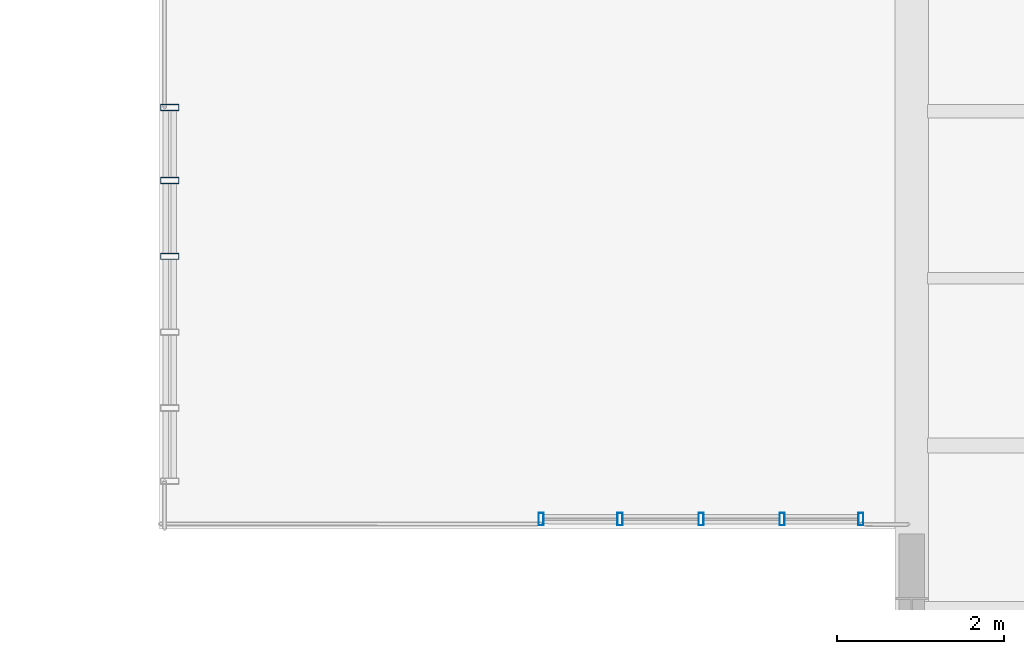
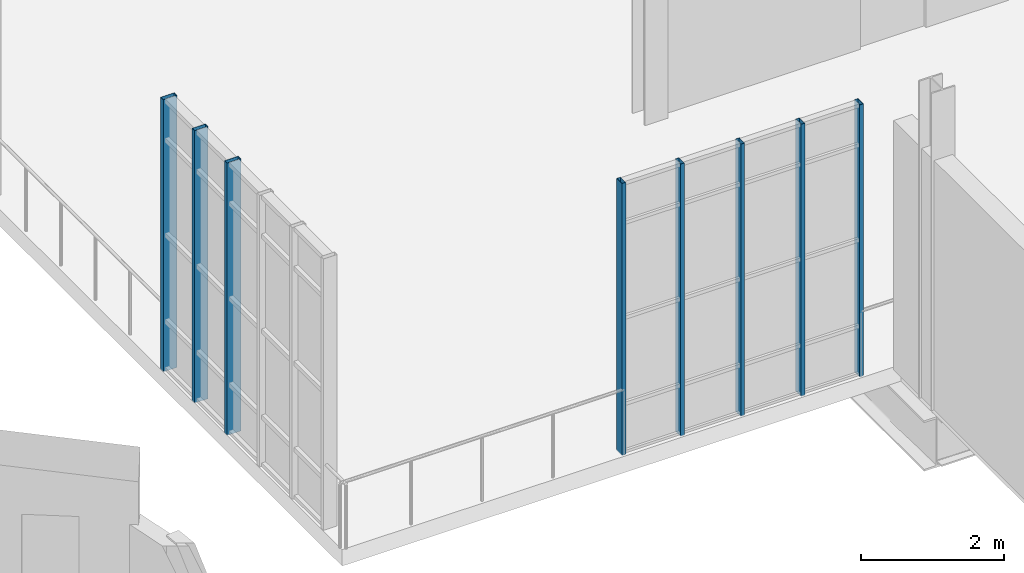
# One storey, part 51 of 142: 8 members, 2 elements without a shape of their own.
"""IFC4 building model written with IfcOpenShell, lengths in metres."""

from ifc_helpers import new_model, si_unit, direction, frame, origin, origin_2d, place, context, subcontext, project, spatial, hollow_rectangle, extrude, material, layer, layer_set, material_profile, profile_set, type_object, element, aggregate, save


model = new_model("IFC4")

# Units and contexts
model_context = context("Model", 3, precision=1e-05, world=origin(), true_north=direction((0.0, 1.0)))
body_context = subcontext(model_context, "Body", "Model", "MODEL_VIEW")
ifc_project = project(units=[si_unit("LENGTHUNIT", "METRE"), si_unit("AREAUNIT", "SQUARE_METRE"), si_unit("VOLUMEUNIT", "CUBIC_METRE"), si_unit("PLANEANGLEUNIT", "RADIAN"), si_unit("MASSUNIT", "GRAM", prefix="KILO"), si_unit("THERMODYNAMICTEMPERATUREUNIT", "KELVIN"), si_unit("POWERUNIT", "WATT")], contexts=[model_context])

# Site, building, storey
site_placement = place(None, origin())
site = spatial("IfcSite", under=ifc_project, at=site_placement, CompositionType="ELEMENT")
building_placement = place(site_placement, origin())
building = spatial("IfcBuilding", under=site, at=building_placement, Name="Zelmaris Science Centre", CompositionType="ELEMENT")
storey_placement = place(building_placement, frame((0.0, 0.0, 5.39990234375)))
storey = spatial("IfcBuildingStorey", under=building, at=storey_placement, Name="L01", CompositionType="ELEMENT", Elevation=5.39990234375)

# Curtain wall, members
ifc_material = material(Name="Anodised architectural aluminium 6063-T6", Category="aluminium")
ifc_layer_1 = layer(ifc_material, 0.219970703125, Name="Anodised architectural aluminium 6063-T6")
ifc_layer_set_1 = layer_set([ifc_layer_1], Name="Anodised architectural aluminium 6063-T6")
curtain_wall_type_1 = type_object("IfcCurtainWallType", Name="Curtain Wall CW-04", PredefinedType="USERDEFINED", material=ifc_layer_set_1)
curtain_wall_1_placement = place(storey_placement, origin())
curtain_wall_1 = element("IfcCurtainWall", 1, at=curtain_wall_1_placement, inside=storey, type_object=curtain_wall_type_1, Name="L01 Unitised curtain wall 184", ObjectType="GLAZED CURTAIN WALL", PredefinedType="USERDEFINED")
ifc_material_profile_1 = material_profile(ifc_material, hollow_rectangle(XDim=0.06005859375, YDim=0.14990234375, WallThickness=0.00341796875, at=origin_2d()), Name="ALU-MUL-60X150")
ifc_profile_set_1 = profile_set([ifc_material_profile_1], Name="Anodised architectural aluminium 6063-T6")
member_type_1 = type_object("IfcMemberType", Name="ALU-MUL-60X150", PredefinedType="MULLION", material=ifc_profile_set_1)
member_1_placement = place(storey_placement, frame((107.391357421875, 49.11767578125, -0.014892578125), z_axis=(0.0, 0.0, 1.0), x_axis=(-0.999999955983, 0.000296705968, 0.0)))
member_1 = element("IfcMember", 2, at=member_1_placement, type_object=member_type_1, Name="CW-04 mullion 1", PredefinedType="MULLION", context=body_context, shape_type="SweptSolid", body=[
    extrude(hollow_rectangle(XDim=0.06005859375, YDim=0.14990234375, WallThickness=0.00341796875, at=origin_2d()), origin(), (0.0, 0.0, 1.0), 4.635009765625),
])
member_2_placement = place(storey_placement, frame((106.44775390625, 49.117919921875, -0.014892578125), z_axis=(0.0, 0.0, 1.0), x_axis=(-0.999999955983, 0.000296705968, 0.0)))
member_2 = element("IfcMember", 3, at=member_2_placement, type_object=member_type_1, Name="CW-04 mullion 2", PredefinedType="MULLION", context=body_context, shape_type="SweptSolid", body=[
    extrude(hollow_rectangle(XDim=0.06005859375, YDim=0.14990234375, WallThickness=0.00341796875, at=origin_2d()), origin(), (0.0, 0.0, 1.0), 4.635009765625),
])
member_3_placement = place(storey_placement, frame((105.47802734375, 49.1181640625, -0.014892578125), z_axis=(0.0, 0.0, 1.0), x_axis=(-0.999999955983, 0.000296705968, 0.0)))
member_3 = element("IfcMember", 4, at=member_3_placement, type_object=member_type_1, Name="CW-04 mullion 3", PredefinedType="MULLION", context=body_context, shape_type="SweptSolid", body=[
    extrude(hollow_rectangle(XDim=0.06005859375, YDim=0.14990234375, WallThickness=0.00341796875, at=origin_2d()), origin(), (0.0, 0.0, 1.0), 4.635009765625),
])
member_4_placement = place(storey_placement, frame((104.50830078125, 49.118408203125, -0.014892578125), z_axis=(0.0, 0.0, 1.0), x_axis=(-0.999999955983, 0.000296705968, 0.0)))
member_4 = element("IfcMember", 5, at=member_4_placement, type_object=member_type_1, Name="CW-04 mullion 4", PredefinedType="MULLION", context=body_context, shape_type="SweptSolid", body=[
    extrude(hollow_rectangle(XDim=0.06005859375, YDim=0.14990234375, WallThickness=0.00341796875, at=origin_2d()), origin(), (0.0, 0.0, 1.0), 4.635009765625),
])
member_5_placement = place(storey_placement, frame((103.564697265625, 49.11865234375, -0.014892578125), z_axis=(0.0, 0.0, 1.0), x_axis=(-0.999999955983, 0.000296705968, 0.0)))
member_5 = element("IfcMember", 6, at=member_5_placement, type_object=member_type_1, Name="CW-04 mullion 5", PredefinedType="MULLION", context=body_context, shape_type="SweptSolid", body=[
    extrude(hollow_rectangle(XDim=0.06005859375, YDim=0.14990234375, WallThickness=0.00341796875, at=origin_2d()), origin(), (0.0, 0.0, 1.0), 4.635009765625),
])
aggregate(curtain_wall_1, [member_1, member_2, member_3, member_4, member_5])

ifc_layer_2 = layer(ifc_material, 0.199951171875, Name="Anodised architectural aluminium 6063-T6")
ifc_layer_set_2 = layer_set([ifc_layer_2], Name="Anodised architectural aluminium 6063-T6")
curtain_wall_type_2 = type_object("IfcCurtainWallType", Name="Curtain Wall CW-02", PredefinedType="USERDEFINED", material=ifc_layer_set_2)
curtain_wall_2_placement = place(storey_placement, origin())
curtain_wall_2 = element("IfcCurtainWall", 7, at=curtain_wall_2_placement, inside=storey, type_object=curtain_wall_type_2, Name="L01 Unitised curtain wall 186", ObjectType="GLAZED CURTAIN WALL", PredefinedType="USERDEFINED")
ifc_material_profile_2 = material_profile(ifc_material, hollow_rectangle(XDim=0.074951171875, YDim=0.219970703125, WallThickness=0.0048828125, at=origin_2d()), Name="ALU-MUL-75X220")
ifc_profile_set_2 = profile_set([ifc_material_profile_2], Name="Anodised architectural aluminium 6063-T6")
member_type_2 = type_object("IfcMemberType", Name="ALU-MUL-75X220", PredefinedType="MULLION", material=ifc_profile_set_2)
member_6_placement = place(storey_placement, frame((99.1201171875, 52.26416015625, -0.014892578125), z_axis=(0.0, 0.0, 1.0), x_axis=(-5.235988e-06, 0.999999999986, 0.0)))
member_6 = element("IfcMember", 8, at=member_6_placement, type_object=member_type_2, Name="CW-02 mullion 4", PredefinedType="MULLION", context=body_context, shape_type="SweptSolid", body=[
    extrude(hollow_rectangle(XDim=0.074951171875, YDim=0.219970703125, WallThickness=0.0048828125, at=origin_2d()), origin(), (0.0, 0.0, 1.0), 4.635009765625),
])
member_7_placement = place(storey_placement, frame((99.1201171875, 53.172119140625, -0.014892578125), z_axis=(0.0, 0.0, 1.0), x_axis=(-5.235988e-06, 0.999999999986, 0.0)))
member_7 = element("IfcMember", 9, at=member_7_placement, type_object=member_type_2, Name="CW-02 mullion 5", PredefinedType="MULLION", context=body_context, shape_type="SweptSolid", body=[
    extrude(hollow_rectangle(XDim=0.074951171875, YDim=0.219970703125, WallThickness=0.0048828125, at=origin_2d()), origin(), (0.0, 0.0, 1.0), 4.635009765625),
])
member_8_placement = place(storey_placement, frame((99.1201171875, 54.04638671875, -0.014892578125), z_axis=(0.0, 0.0, 1.0), x_axis=(-5.235988e-06, 0.999999999986, 0.0)))
member_8 = element("IfcMember", 10, at=member_8_placement, type_object=member_type_2, Name="CW-02 mullion 6", PredefinedType="MULLION", context=body_context, shape_type="SweptSolid", body=[
    extrude(hollow_rectangle(XDim=0.074951171875, YDim=0.219970703125, WallThickness=0.0048828125, at=origin_2d()), origin(), (0.0, 0.0, 1.0), 4.635009765625),
])
aggregate(curtain_wall_2, [member_6, member_7, member_8])

save(model, "model.ifc")
